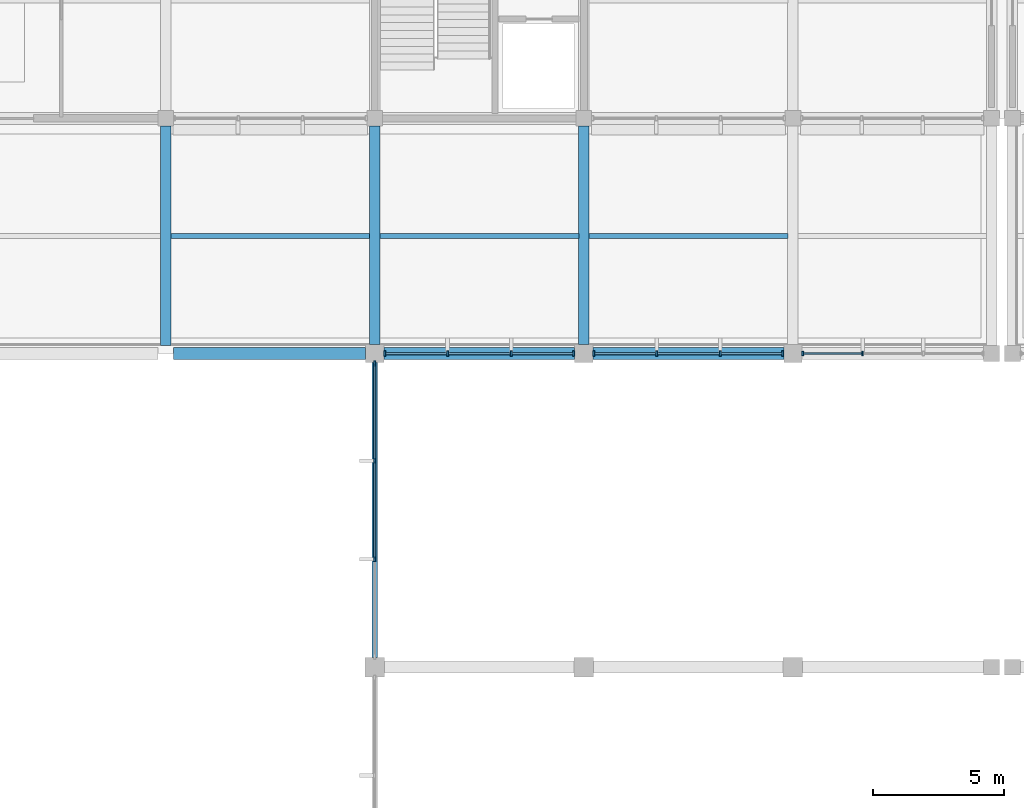
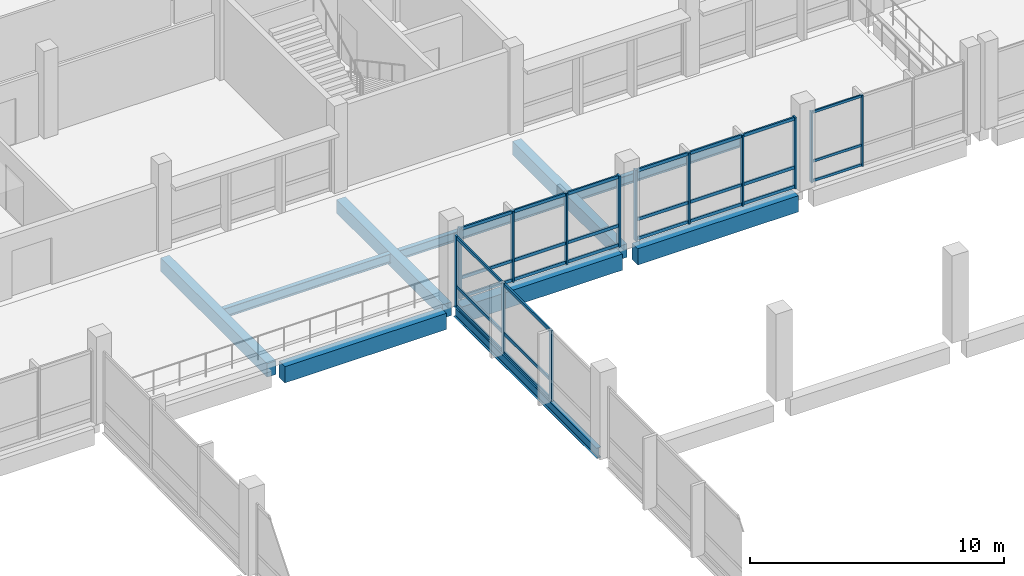
# One storey, part 25 of 70: 40 members, 10 beams, 4 elements without a shape of their own.
"""IFC4 building model written with IfcOpenShell, lengths in metres."""

from ifc_helpers import new_model, si_unit, direction, frame, origin, origin_2d, place, context, subcontext, project, spatial, rectangle, i_section, extrude, material, material_profile, profile_set, type_object, element, aggregate, save


model = new_model("IFC4")

# Units and contexts
model_context = context("Model", 3, precision=1e-05, world=origin(), true_north=direction((0.0, 1.0)))
body_context = subcontext(model_context, "Body", "Model", "MODEL_VIEW")
ifc_project = project(units=[si_unit("LENGTHUNIT", "METRE"), si_unit("AREAUNIT", "SQUARE_METRE"), si_unit("VOLUMEUNIT", "CUBIC_METRE"), si_unit("PLANEANGLEUNIT", "RADIAN"), si_unit("MASSUNIT", "GRAM", prefix="KILO"), si_unit("THERMODYNAMICTEMPERATUREUNIT", "KELVIN"), si_unit("POWERUNIT", "WATT")], contexts=[model_context])

# Site, building, storey
site_placement = place(None, origin())
site = spatial("IfcSite", under=ifc_project, at=site_placement, CompositionType="ELEMENT")
building_placement = place(site_placement, origin())
building = spatial("IfcBuilding", under=site, at=building_placement, Name="Kronsvod Quay Wholesale Market", CompositionType="ELEMENT")
storey_placement = place(building_placement, frame((0.0, 0.0, 9.0)))
storey = spatial("IfcBuildingStorey", under=building, at=storey_placement, Name="L02", CompositionType="ELEMENT", Elevation=9.0)

# Beams
ifc_material_1 = material(Name="Precast concrete C40/50", Category="concrete")
ifc_material_profile_1 = material_profile(ifc_material_1, rectangle(XDim=0.39990234375, YDim=0.64990234375, at=origin_2d()), Name="PCB400x650")
ifc_profile_set_1 = profile_set([ifc_material_profile_1], Name="Precast concrete C40/50")
beam_type_1 = type_object("IfcBeamType", Name="Beam_PCB400x650", PredefinedType="BEAM", material=ifc_profile_set_1)
beam_1_placement = place(storey_placement, frame((96.0, 90.300048828125, -0.635009765625), z_axis=(0.0, 1.0, 0.0), x_axis=(-1.0, 0.0, 0.0)))
element("IfcBeam", 1, at=beam_1_placement, inside=storey, type_object=beam_type_1, Name="BMY-L02-960-900", PredefinedType="BEAM", context=body_context, shape_type="SweptSolid", body=[
    extrude(rectangle(XDim=0.39990234375, YDim=0.64990234375, at=origin_2d()), origin(), (0.0, 0.0, 1.0), 8.39990234375),
])
for number, where, z_axis, x_axis, name in (
    (2, (104.0, 90.35009765625, -0.635009765625), (0.0, 1.0, 0.0), (-1.0, 0.0, 0.0), "BMY-L02-1040-900"),
    (3, (112.0, 90.35009765625, -0.635009765625), (0.0, 1.0, 0.0), (-1.0, 0.0, 0.0), "BMY-L02-1120-900"),
):
    element("IfcBeam", number, at=place(storey_placement, frame(where, z_axis=z_axis, x_axis=x_axis)), inside=storey, type_object=beam_type_1, Name=name, PredefinedType="BEAM", context=body_context, shape_type="SweptSolid", body=[
        extrude(rectangle(XDim=0.39990234375, YDim=0.64990234375, at=origin_2d()), origin(), (0.0, 0.0, 1.0), 8.349853515625),
    ])
ifc_material_2 = material(Name="Precast concrete C40/50", Category="concrete")
ifc_material_profile_2 = material_profile(ifc_material_2, rectangle(XDim=0.4599609375, YDim=0.780029296875, at=origin_2d()), Name="PB-03")
ifc_profile_set_2 = profile_set([ifc_material_profile_2], Name="Precast concrete C40/50")
beam_type_2 = type_object("IfcBeamType", Name="Beam_PCB460x780", PredefinedType="BEAM", material=ifc_profile_set_2)
beam_2_placement = place(storey_placement, frame((96.300048828125, 90.0, -0.699951171875), z_axis=(1.0, 0.0, 0.0), x_axis=(0.0, 1.0, 0.0)))
element("IfcBeam", 4, at=beam_2_placement, inside=storey, type_object=beam_type_2, Name="BMX-L02-960-900", PredefinedType="BEAM", context=body_context, shape_type="SweptSolid", body=[
    extrude(rectangle(XDim=0.4599609375, YDim=0.780029296875, at=origin_2d()), origin(), (0.0, 0.0, 1.0), 7.349853515625),
])
for number, where, z_axis, x_axis, name in (
    (5, (104.35009765625, 90.0, -0.64990234375), (1.0, 0.0, 0.0), (0.0, 1.0, 0.0), "BMX-L02-1040-900"),
    (6, (112.35009765625, 90.0, -0.64990234375), (1.0, 0.0, 0.0), (0.0, 1.0, 0.0), "BMX-L02-1120-900"),
):
    element("IfcBeam", number, at=place(storey_placement, frame(where, z_axis=z_axis, x_axis=x_axis)), inside=storey, type_object=beam_type_2, Name=name, PredefinedType="BEAM", context=body_context, shape_type="SweptSolid", body=[
        extrude(rectangle(XDim=0.4599609375, YDim=0.780029296875, at=origin_2d()), origin(), (0.0, 0.0, 1.0), 7.2998046875),
    ])
ifc_material_3 = material(Name="Steel S355", Category="steel")
ifc_material_profile_3 = material_profile(ifc_material_3, i_section(OverallWidth=0.198974609375, OverallDepth=0.446044921875, WebThickness=0.008056640625, FlangeThickness=0.011962890625, FilletRadius=0.01806640625, at=origin_2d()), Name="45B1")
ifc_profile_set_3 = profile_set([ifc_material_profile_3], Name="Steel S355")
beam_type_3 = type_object("IfcBeamType", Name="Beam_Steel45B1", PredefinedType="BEAM", material=ifc_profile_set_3)
for number, where, z_axis, x_axis, name in (
    (7, (96.195068359375, 94.5, -0.532958984375), (1.0, 0.0, 0.0), (0.0, 1.0, 0.0), "JSTX-L02-960-900"),
    (8, (104.195068359375, 94.5, -0.532958984375), (1.0, 0.0, 0.0), (0.0, 1.0, 0.0), "JSTX-L02-1040-900"),
    (9, (112.195068359375, 94.5, -0.532958984375), (1.0, 0.0, 0.0), (0.0, 1.0, 0.0), "JSTX-L02-1120-900"),
):
    element("IfcBeam", number, at=place(storey_placement, frame(where, z_axis=z_axis, x_axis=x_axis)), inside=storey, type_object=beam_type_3, Name=name, PredefinedType="BEAM", context=body_context, shape_type="SweptSolid", body=[
        extrude(i_section(OverallWidth=0.198974609375, OverallDepth=0.446044921875, WebThickness=0.008056640625, FlangeThickness=0.011962890625, FilletRadius=0.01806640625, at=origin_2d()), origin(), (0.0, 0.0, 1.0), 7.60986328125),
    ])
ifc_material_4 = material(Name="Steel S355", Category="steel")
ifc_material_profile_4 = material_profile(ifc_material_4, i_section(OverallWidth=0.198974609375, OverallDepth=0.49609375, WebThickness=0.009033203125, FlangeThickness=0.013916015625, FilletRadius=0.02001953125, at=origin_2d()), Name="50B1")
ifc_profile_set_4 = profile_set([ifc_material_profile_4], Name="Steel S355")
beam_type_4 = type_object("IfcBeamType", Name="Girder_Steel50B1", PredefinedType="T_BEAM", material=ifc_profile_set_4)
beam_3_placement = place(storey_placement, frame((104.0, 78.375, -0.22802734375), z_axis=(0.0, 1.0, 0.0), x_axis=(-1.0, 0.0, 0.0)))
element("IfcBeam", 10, at=beam_3_placement, inside=storey, type_object=beam_type_4, Name="BMY-L02-1040-780", PredefinedType="T_BEAM", context=body_context, shape_type="SweptSolid", body=[
    extrude(i_section(OverallWidth=0.198974609375, OverallDepth=0.49609375, WebThickness=0.009033203125, FlangeThickness=0.013916015625, FilletRadius=0.02001953125, at=origin_2d()), origin(), (0.0, 0.0, 1.0), 11.27490234375),
])

# Curtain wall, members
ifc_material_5 = material(Name="Thermally broken aluminium and triple low-E glazing", Category="aluminium")
curtain_wall_type_1 = type_object("IfcCurtainWallType", Name="CW_Clerestory80x32", PredefinedType="NOTDEFINED", material=ifc_material_5)
curtain_wall_1_placement = place(storey_placement, origin())
curtain_wall_1 = element("IfcCurtainWall", 11, at=curtain_wall_1_placement, inside=storey, type_object=curtain_wall_type_1, Name="CWGX-L02-1200-900", PredefinedType="NOTDEFINED")
ifc_material_6 = material(Name="Anodised aluminium", Category="aluminium")
ifc_material_profile_5 = material_profile(ifc_material_6, rectangle(XDim=0.06494140625, YDim=0.159912109375, at=origin_2d()), Name="ALUM65x160")
ifc_profile_set_5 = profile_set([ifc_material_profile_5], Name="Anodised aluminium")
member_type_1 = type_object("IfcMemberType", Name="Mullion_ALU65x160", PredefinedType="MULLION", material=ifc_profile_set_5)
member_1_placement = place(storey_placement, frame((122.6650390625, 90.0, 0.0), z_axis=(0.0, 0.0, 1.0), x_axis=(1.0, 0.0, 0.0)))
member_1 = element("IfcMember", 12, at=member_1_placement, type_object=member_type_1, Name="CWGX-L02-1200-900-M3", PredefinedType="MULLION", context=body_context, shape_type="SweptSolid", body=[
    extrude(rectangle(XDim=0.06494140625, YDim=0.159912109375, at=origin_2d()), origin(), (0.0, 0.0, 1.0), 3.419921875),
])
member_2_placement = place(storey_placement, frame((120.37744140625, 90.0, 0.0), z_axis=(0.0, 0.0, 1.0), x_axis=(1.0, 0.0, 0.0)))
member_2 = element("IfcMember", 13, at=member_2_placement, type_object=member_type_1, Name="CWGX-L02-1200-900-M4", PredefinedType="MULLION", context=body_context, shape_type="SweptSolid", body=[
    extrude(rectangle(XDim=0.06494140625, YDim=0.159912109375, at=origin_2d()), origin(), (0.0, 0.0, 1.0), 3.419921875),
])

curtain_wall_2_placement = place(storey_placement, origin())
curtain_wall_2 = element("IfcCurtainWall", 14, at=curtain_wall_2_placement, inside=storey, type_object=curtain_wall_type_1, Name="CWGX-L02-1040-900", PredefinedType="NOTDEFINED")
ifc_material_7 = material(Name="Anodised aluminium", Category="aluminium")
ifc_material_profile_6 = material_profile(ifc_material_7, rectangle(XDim=0.074951171875, YDim=0.199951171875, at=origin_2d()), Name="ALUM75x200")
ifc_profile_set_6 = profile_set([ifc_material_profile_6], Name="Anodised aluminium")
member_type_2 = type_object("IfcMemberType", Name="Mullion_ALU75x200", PredefinedType="MULLION", material=ifc_profile_set_6)
member_3_placement = place(storey_placement, frame((111.617431640625, 90.0, 0.0), z_axis=(0.0, 0.0, 1.0), x_axis=(1.0, 0.0, 0.0)))
member_3 = element("IfcMember", 15, at=member_3_placement, type_object=member_type_2, Name="CWGX-L02-1040-900-M1", PredefinedType="MULLION", context=body_context, shape_type="SweptSolid", body=[
    extrude(rectangle(XDim=0.074951171875, YDim=0.199951171875, at=origin_2d()), origin(), (0.0, 0.0, 1.0), 3.419921875),
])
member_4_placement = place(storey_placement, frame((109.21826171875, 90.0, 0.0), z_axis=(0.0, 0.0, 1.0), x_axis=(1.0, 0.0, 0.0)))
member_4 = element("IfcMember", 16, at=member_4_placement, type_object=member_type_2, Name="CWGX-L02-1040-900-M2", PredefinedType="MULLION", context=body_context, shape_type="SweptSolid", body=[
    extrude(rectangle(XDim=0.074951171875, YDim=0.199951171875, at=origin_2d()), origin(), (0.0, 0.0, 1.0), 3.419921875),
])
member_5_placement = place(storey_placement, frame((106.78173828125, 90.0, 0.0), z_axis=(0.0, 0.0, 1.0), x_axis=(1.0, 0.0, 0.0)))
member_5 = element("IfcMember", 17, at=member_5_placement, type_object=member_type_2, Name="CWGX-L02-1040-900-M3", PredefinedType="MULLION", context=body_context, shape_type="SweptSolid", body=[
    extrude(rectangle(XDim=0.074951171875, YDim=0.199951171875, at=origin_2d()), origin(), (0.0, 0.0, 1.0), 3.419921875),
])
member_6_placement = place(storey_placement, frame((104.382568359375, 90.0, 0.0), z_axis=(0.0, 0.0, 1.0), x_axis=(1.0, 0.0, 0.0)))
member_6 = element("IfcMember", 18, at=member_6_placement, type_object=member_type_2, Name="CWGX-L02-1040-900-M4", PredefinedType="MULLION", context=body_context, shape_type="SweptSolid", body=[
    extrude(rectangle(XDim=0.074951171875, YDim=0.199951171875, at=origin_2d()), origin(), (0.0, 0.0, 1.0), 3.419921875),
])

curtain_wall_3_placement = place(storey_placement, origin())
curtain_wall_3 = element("IfcCurtainWall", 19, at=curtain_wall_3_placement, inside=storey, type_object=curtain_wall_type_1, Name="CWGX-L02-1120-900", PredefinedType="NOTDEFINED")
member_7_placement = place(storey_placement, frame((119.617431640625, 90.0, 0.0), z_axis=(0.0, 0.0, 1.0), x_axis=(1.0, 0.0, 0.0)))
member_7 = element("IfcMember", 20, at=member_7_placement, type_object=member_type_2, Name="CWGX-L02-1120-900-M1", PredefinedType="MULLION", context=body_context, shape_type="SweptSolid", body=[
    extrude(rectangle(XDim=0.074951171875, YDim=0.199951171875, at=origin_2d()), origin(), (0.0, 0.0, 1.0), 3.419921875),
])
member_8_placement = place(storey_placement, frame((117.21826171875, 90.0, 0.0), z_axis=(0.0, 0.0, 1.0), x_axis=(1.0, 0.0, 0.0)))
member_8 = element("IfcMember", 21, at=member_8_placement, type_object=member_type_2, Name="CWGX-L02-1120-900-M2", PredefinedType="MULLION", context=body_context, shape_type="SweptSolid", body=[
    extrude(rectangle(XDim=0.074951171875, YDim=0.199951171875, at=origin_2d()), origin(), (0.0, 0.0, 1.0), 3.419921875),
])
member_9_placement = place(storey_placement, frame((114.78173828125, 90.0, 0.0), z_axis=(0.0, 0.0, 1.0), x_axis=(1.0, 0.0, 0.0)))
member_9 = element("IfcMember", 22, at=member_9_placement, type_object=member_type_2, Name="CWGX-L02-1120-900-M3", PredefinedType="MULLION", context=body_context, shape_type="SweptSolid", body=[
    extrude(rectangle(XDim=0.074951171875, YDim=0.199951171875, at=origin_2d()), origin(), (0.0, 0.0, 1.0), 3.419921875),
])
member_10_placement = place(storey_placement, frame((112.382568359375, 90.0, 0.0), z_axis=(0.0, 0.0, 1.0), x_axis=(1.0, 0.0, 0.0)))
member_10 = element("IfcMember", 23, at=member_10_placement, type_object=member_type_2, Name="CWGX-L02-1120-900-M4", PredefinedType="MULLION", context=body_context, shape_type="SweptSolid", body=[
    extrude(rectangle(XDim=0.074951171875, YDim=0.199951171875, at=origin_2d()), origin(), (0.0, 0.0, 1.0), 3.419921875),
])

ifc_material_8 = material(Name="Thermally broken aluminium and triple low-E glazing", Category="aluminium")
curtain_wall_type_2 = type_object("IfcCurtainWallType", Name="CW_Court120x35", PredefinedType="NOTDEFINED", material=ifc_material_8)
curtain_wall_4_placement = place(storey_placement, origin())
curtain_wall_4 = element("IfcCurtainWall", 24, at=curtain_wall_4_placement, inside=storey, type_object=curtain_wall_type_2, Name="CWGY-L02-1040-780", PredefinedType="NOTDEFINED")
member_11_placement = place(storey_placement, frame((104.0, 89.617431640625, 0.0), z_axis=(0.0, 0.0, 1.0), x_axis=(1.0, 0.0, 0.0)))
member_11 = element("IfcMember", 25, at=member_11_placement, type_object=member_type_2, Name="CWGY-L02-1040-780-M1", PredefinedType="MULLION", context=body_context, shape_type="SweptSolid", body=[
    extrude(rectangle(XDim=0.074951171875, YDim=0.199951171875, at=origin_2d()), origin(), (0.0, 0.0, 1.0), 3.419921875),
])
member_12_placement = place(storey_placement, frame((104.0, 85.893310546875, 0.0), z_axis=(0.0, 0.0, 1.0), x_axis=(1.0, 0.0, 0.0)))
member_12 = element("IfcMember", 26, at=member_12_placement, type_object=member_type_2, Name="CWGY-L02-1040-780-M2", PredefinedType="MULLION", context=body_context, shape_type="SweptSolid", body=[
    extrude(rectangle(XDim=0.074951171875, YDim=0.199951171875, at=origin_2d()), origin(), (0.0, 0.0, 1.0), 3.419921875),
])
member_13_placement = place(storey_placement, frame((104.0, 82.131591796875, 0.0), z_axis=(0.0, 0.0, 1.0), x_axis=(1.0, 0.0, 0.0)))
member_13 = element("IfcMember", 27, at=member_13_placement, type_object=member_type_2, Name="CWGY-L02-1040-780-M3", PredefinedType="MULLION", context=body_context, shape_type="SweptSolid", body=[
    extrude(rectangle(XDim=0.074951171875, YDim=0.199951171875, at=origin_2d()), origin(), (0.0, 0.0, 1.0), 3.419921875),
])

# Member
ifc_material_9 = material(Name="Anodised aluminium", Category="aluminium")
ifc_material_profile_7 = material_profile(ifc_material_9, rectangle(XDim=0.06494140625, YDim=0.1201171875, at=origin_2d()), Name="ALUT65x120")
ifc_profile_set_7 = profile_set([ifc_material_profile_7], Name="Anodised aluminium")
member_type_3 = type_object("IfcMemberType", Name="Transom_ALU65x120", PredefinedType="USERDEFINED", material=ifc_profile_set_7)
member_14_placement = place(storey_placement, frame((122.632568359375, 90.0, 0.06005859375), z_axis=(-1.0, 0.0, 0.0), x_axis=(0.0, -1.0, 0.0)))
member_14 = element("IfcMember", 28, at=member_14_placement, type_object=member_type_3, Name="CWGX-L02-1200-900-T1B3", ObjectType="TRANSOM", PredefinedType="USERDEFINED", context=body_context, shape_type="SweptSolid", body=[
    extrude(rectangle(XDim=0.06494140625, YDim=0.1201171875, at=origin_2d()), origin(), (0.0, 0.0, 1.0), 2.22265625),
])

member_15_placement = place(storey_placement, frame((122.632568359375, 90.0, 1.0), z_axis=(-1.0, 0.0, 0.0), x_axis=(0.0, -1.0, 0.0)))
member_15 = element("IfcMember", 29, at=member_15_placement, type_object=member_type_3, Name="CWGX-L02-1200-900-T2B3", ObjectType="TRANSOM", PredefinedType="USERDEFINED", context=body_context, shape_type="SweptSolid", body=[
    extrude(rectangle(XDim=0.06494140625, YDim=0.1201171875, at=origin_2d()), origin(), (0.0, 0.0, 1.0), 2.22265625),
])

member_16_placement = place(storey_placement, frame((122.632568359375, 90.0, 3.360107421875), z_axis=(-1.0, 0.0, 0.0), x_axis=(0.0, -1.0, 0.0)))
member_16 = element("IfcMember", 30, at=member_16_placement, type_object=member_type_3, Name="CWGX-L02-1200-900-T3B3", ObjectType="TRANSOM", PredefinedType="USERDEFINED", context=body_context, shape_type="SweptSolid", body=[
    extrude(rectangle(XDim=0.06494140625, YDim=0.1201171875, at=origin_2d()), origin(), (0.0, 0.0, 1.0), 2.22265625),
])

aggregate(curtain_wall_1, [member_1, member_2, member_14, member_15, member_16])

ifc_material_10 = material(Name="Anodised aluminium", Category="aluminium")
ifc_material_profile_8 = material_profile(ifc_material_10, rectangle(XDim=0.074951171875, YDim=0.14990234375, at=origin_2d()), Name="ALUT75x150")
ifc_profile_set_8 = profile_set([ifc_material_profile_8], Name="Anodised aluminium")
member_type_4 = type_object("IfcMemberType", Name="Transom_ALU75x150", PredefinedType="USERDEFINED", material=ifc_profile_set_8)
member_17_placement = place(storey_placement, frame((111.580078125, 90.0, 0.074951171875), z_axis=(-1.0, 0.0, 0.0), x_axis=(0.0, -1.0, 0.0)))
member_17 = element("IfcMember", 31, at=member_17_placement, type_object=member_type_4, Name="CWGX-L02-1040-900-T1B1", ObjectType="TRANSOM", PredefinedType="USERDEFINED", context=body_context, shape_type="SweptSolid", body=[
    extrude(rectangle(XDim=0.074951171875, YDim=0.14990234375, at=origin_2d()), origin(), (0.0, 0.0, 1.0), 2.32421875),
])

member_18_placement = place(storey_placement, frame((109.180908203125, 90.0, 0.074951171875), z_axis=(-1.0, 0.0, 0.0), x_axis=(0.0, -1.0, 0.0)))
member_18 = element("IfcMember", 32, at=member_18_placement, type_object=member_type_4, Name="CWGX-L02-1040-900-T1B2", ObjectType="TRANSOM", PredefinedType="USERDEFINED", context=body_context, shape_type="SweptSolid", body=[
    extrude(rectangle(XDim=0.074951171875, YDim=0.14990234375, at=origin_2d()), origin(), (0.0, 0.0, 1.0), 2.36181640625),
])

member_19_placement = place(storey_placement, frame((106.744140625, 90.0, 0.074951171875), z_axis=(-1.0, 0.0, 0.0), x_axis=(0.0, -1.0, 0.0)))
member_19 = element("IfcMember", 33, at=member_19_placement, type_object=member_type_4, Name="CWGX-L02-1040-900-T1B3", ObjectType="TRANSOM", PredefinedType="USERDEFINED", context=body_context, shape_type="SweptSolid", body=[
    extrude(rectangle(XDim=0.074951171875, YDim=0.14990234375, at=origin_2d()), origin(), (0.0, 0.0, 1.0), 2.32421875),
])

member_20_placement = place(storey_placement, frame((111.580078125, 90.0, 1.0), z_axis=(-1.0, 0.0, 0.0), x_axis=(0.0, -1.0, 0.0)))
member_20 = element("IfcMember", 34, at=member_20_placement, type_object=member_type_4, Name="CWGX-L02-1040-900-T2B1", ObjectType="TRANSOM", PredefinedType="USERDEFINED", context=body_context, shape_type="SweptSolid", body=[
    extrude(rectangle(XDim=0.074951171875, YDim=0.14990234375, at=origin_2d()), origin(), (0.0, 0.0, 1.0), 2.32421875),
])

member_21_placement = place(storey_placement, frame((109.180908203125, 90.0, 1.0), z_axis=(-1.0, 0.0, 0.0), x_axis=(0.0, -1.0, 0.0)))
member_21 = element("IfcMember", 35, at=member_21_placement, type_object=member_type_4, Name="CWGX-L02-1040-900-T2B2", ObjectType="TRANSOM", PredefinedType="USERDEFINED", context=body_context, shape_type="SweptSolid", body=[
    extrude(rectangle(XDim=0.074951171875, YDim=0.14990234375, at=origin_2d()), origin(), (0.0, 0.0, 1.0), 2.36181640625),
])

member_22_placement = place(storey_placement, frame((106.744140625, 90.0, 1.0), z_axis=(-1.0, 0.0, 0.0), x_axis=(0.0, -1.0, 0.0)))
member_22 = element("IfcMember", 36, at=member_22_placement, type_object=member_type_4, Name="CWGX-L02-1040-900-T2B3", ObjectType="TRANSOM", PredefinedType="USERDEFINED", context=body_context, shape_type="SweptSolid", body=[
    extrude(rectangle(XDim=0.074951171875, YDim=0.14990234375, at=origin_2d()), origin(), (0.0, 0.0, 1.0), 2.32421875),
])

member_23_placement = place(storey_placement, frame((111.580078125, 90.0, 3.344970703125), z_axis=(-1.0, 0.0, 0.0), x_axis=(0.0, -1.0, 0.0)))
member_23 = element("IfcMember", 37, at=member_23_placement, type_object=member_type_4, Name="CWGX-L02-1040-900-T3B1", ObjectType="TRANSOM", PredefinedType="USERDEFINED", context=body_context, shape_type="SweptSolid", body=[
    extrude(rectangle(XDim=0.074951171875, YDim=0.14990234375, at=origin_2d()), origin(), (0.0, 0.0, 1.0), 2.32421875),
])

member_24_placement = place(storey_placement, frame((109.180908203125, 90.0, 3.344970703125), z_axis=(-1.0, 0.0, 0.0), x_axis=(0.0, -1.0, 0.0)))
member_24 = element("IfcMember", 38, at=member_24_placement, type_object=member_type_4, Name="CWGX-L02-1040-900-T3B2", ObjectType="TRANSOM", PredefinedType="USERDEFINED", context=body_context, shape_type="SweptSolid", body=[
    extrude(rectangle(XDim=0.074951171875, YDim=0.14990234375, at=origin_2d()), origin(), (0.0, 0.0, 1.0), 2.36181640625),
])

member_25_placement = place(storey_placement, frame((106.744140625, 90.0, 3.344970703125), z_axis=(-1.0, 0.0, 0.0), x_axis=(0.0, -1.0, 0.0)))
member_25 = element("IfcMember", 39, at=member_25_placement, type_object=member_type_4, Name="CWGX-L02-1040-900-T3B3", ObjectType="TRANSOM", PredefinedType="USERDEFINED", context=body_context, shape_type="SweptSolid", body=[
    extrude(rectangle(XDim=0.074951171875, YDim=0.14990234375, at=origin_2d()), origin(), (0.0, 0.0, 1.0), 2.32421875),
])

aggregate(curtain_wall_2, [member_3, member_4, member_5, member_6, member_17, member_18, member_19, member_20, member_21, member_22, member_23, member_24, member_25])

member_26_placement = place(storey_placement, frame((119.580078125, 90.0, 0.074951171875), z_axis=(-1.0, 0.0, 0.0), x_axis=(0.0, -1.0, 0.0)))
member_26 = element("IfcMember", 40, at=member_26_placement, type_object=member_type_4, Name="CWGX-L02-1120-900-T1B1", ObjectType="TRANSOM", PredefinedType="USERDEFINED", context=body_context, shape_type="SweptSolid", body=[
    extrude(rectangle(XDim=0.074951171875, YDim=0.14990234375, at=origin_2d()), origin(), (0.0, 0.0, 1.0), 2.32421875),
])

member_27_placement = place(storey_placement, frame((117.180908203125, 90.0, 0.074951171875), z_axis=(-1.0, 0.0, 0.0), x_axis=(0.0, -1.0, 0.0)))
member_27 = element("IfcMember", 41, at=member_27_placement, type_object=member_type_4, Name="CWGX-L02-1120-900-T1B2", ObjectType="TRANSOM", PredefinedType="USERDEFINED", context=body_context, shape_type="SweptSolid", body=[
    extrude(rectangle(XDim=0.074951171875, YDim=0.14990234375, at=origin_2d()), origin(), (0.0, 0.0, 1.0), 2.36181640625),
])

member_28_placement = place(storey_placement, frame((114.744140625, 90.0, 0.074951171875), z_axis=(-1.0, 0.0, 0.0), x_axis=(0.0, -1.0, 0.0)))
member_28 = element("IfcMember", 42, at=member_28_placement, type_object=member_type_4, Name="CWGX-L02-1120-900-T1B3", ObjectType="TRANSOM", PredefinedType="USERDEFINED", context=body_context, shape_type="SweptSolid", body=[
    extrude(rectangle(XDim=0.074951171875, YDim=0.14990234375, at=origin_2d()), origin(), (0.0, 0.0, 1.0), 2.32421875),
])

member_29_placement = place(storey_placement, frame((119.580078125, 90.0, 1.0), z_axis=(-1.0, 0.0, 0.0), x_axis=(0.0, -1.0, 0.0)))
member_29 = element("IfcMember", 43, at=member_29_placement, type_object=member_type_4, Name="CWGX-L02-1120-900-T2B1", ObjectType="TRANSOM", PredefinedType="USERDEFINED", context=body_context, shape_type="SweptSolid", body=[
    extrude(rectangle(XDim=0.074951171875, YDim=0.14990234375, at=origin_2d()), origin(), (0.0, 0.0, 1.0), 2.32421875),
])

member_30_placement = place(storey_placement, frame((117.180908203125, 90.0, 1.0), z_axis=(-1.0, 0.0, 0.0), x_axis=(0.0, -1.0, 0.0)))
member_30 = element("IfcMember", 44, at=member_30_placement, type_object=member_type_4, Name="CWGX-L02-1120-900-T2B2", ObjectType="TRANSOM", PredefinedType="USERDEFINED", context=body_context, shape_type="SweptSolid", body=[
    extrude(rectangle(XDim=0.074951171875, YDim=0.14990234375, at=origin_2d()), origin(), (0.0, 0.0, 1.0), 2.36181640625),
])

member_31_placement = place(storey_placement, frame((114.744140625, 90.0, 1.0), z_axis=(-1.0, 0.0, 0.0), x_axis=(0.0, -1.0, 0.0)))
member_31 = element("IfcMember", 45, at=member_31_placement, type_object=member_type_4, Name="CWGX-L02-1120-900-T2B3", ObjectType="TRANSOM", PredefinedType="USERDEFINED", context=body_context, shape_type="SweptSolid", body=[
    extrude(rectangle(XDim=0.074951171875, YDim=0.14990234375, at=origin_2d()), origin(), (0.0, 0.0, 1.0), 2.32421875),
])

member_32_placement = place(storey_placement, frame((119.580078125, 90.0, 3.344970703125), z_axis=(-1.0, 0.0, 0.0), x_axis=(0.0, -1.0, 0.0)))
member_32 = element("IfcMember", 46, at=member_32_placement, type_object=member_type_4, Name="CWGX-L02-1120-900-T3B1", ObjectType="TRANSOM", PredefinedType="USERDEFINED", context=body_context, shape_type="SweptSolid", body=[
    extrude(rectangle(XDim=0.074951171875, YDim=0.14990234375, at=origin_2d()), origin(), (0.0, 0.0, 1.0), 2.32421875),
])

member_33_placement = place(storey_placement, frame((117.180908203125, 90.0, 3.344970703125), z_axis=(-1.0, 0.0, 0.0), x_axis=(0.0, -1.0, 0.0)))
member_33 = element("IfcMember", 47, at=member_33_placement, type_object=member_type_4, Name="CWGX-L02-1120-900-T3B2", ObjectType="TRANSOM", PredefinedType="USERDEFINED", context=body_context, shape_type="SweptSolid", body=[
    extrude(rectangle(XDim=0.074951171875, YDim=0.14990234375, at=origin_2d()), origin(), (0.0, 0.0, 1.0), 2.36181640625),
])

member_34_placement = place(storey_placement, frame((114.744140625, 90.0, 3.344970703125), z_axis=(-1.0, 0.0, 0.0), x_axis=(0.0, -1.0, 0.0)))
member_34 = element("IfcMember", 48, at=member_34_placement, type_object=member_type_4, Name="CWGX-L02-1120-900-T3B3", ObjectType="TRANSOM", PredefinedType="USERDEFINED", context=body_context, shape_type="SweptSolid", body=[
    extrude(rectangle(XDim=0.074951171875, YDim=0.14990234375, at=origin_2d()), origin(), (0.0, 0.0, 1.0), 2.32421875),
])

aggregate(curtain_wall_3, [member_7, member_8, member_9, member_10, member_26, member_27, member_28, member_29, member_30, member_31, member_32, member_33, member_34])

member_35_placement = place(storey_placement, frame((104.0, 89.580078125, 0.074951171875), z_axis=(0.0, -1.0, 0.0), x_axis=(1.0, 0.0, 0.0)))
member_35 = element("IfcMember", 49, at=member_35_placement, type_object=member_type_4, Name="CWGY-L02-1040-780-T1B1", ObjectType="TRANSOM", PredefinedType="USERDEFINED", context=body_context, shape_type="SweptSolid", body=[
    extrude(rectangle(XDim=0.074951171875, YDim=0.14990234375, at=origin_2d()), origin(), (0.0, 0.0, 1.0), 3.649169921875),
])

member_36_placement = place(storey_placement, frame((104.0, 85.855712890625, 0.074951171875), z_axis=(0.0, -1.0, 0.0), x_axis=(1.0, 0.0, 0.0)))
member_36 = element("IfcMember", 50, at=member_36_placement, type_object=member_type_4, Name="CWGY-L02-1040-780-T1B2", ObjectType="TRANSOM", PredefinedType="USERDEFINED", context=body_context, shape_type="SweptSolid", body=[
    extrude(rectangle(XDim=0.074951171875, YDim=0.14990234375, at=origin_2d()), origin(), (0.0, 0.0, 1.0), 3.6865234375),
])

member_37_placement = place(storey_placement, frame((104.0, 89.580078125, 1.0), z_axis=(0.0, -1.0, 0.0), x_axis=(1.0, 0.0, 0.0)))
member_37 = element("IfcMember", 51, at=member_37_placement, type_object=member_type_4, Name="CWGY-L02-1040-780-T2B1", ObjectType="TRANSOM", PredefinedType="USERDEFINED", context=body_context, shape_type="SweptSolid", body=[
    extrude(rectangle(XDim=0.074951171875, YDim=0.14990234375, at=origin_2d()), origin(), (0.0, 0.0, 1.0), 3.649169921875),
])

member_38_placement = place(storey_placement, frame((104.0, 85.855712890625, 1.0), z_axis=(0.0, -1.0, 0.0), x_axis=(1.0, 0.0, 0.0)))
member_38 = element("IfcMember", 52, at=member_38_placement, type_object=member_type_4, Name="CWGY-L02-1040-780-T2B2", ObjectType="TRANSOM", PredefinedType="USERDEFINED", context=body_context, shape_type="SweptSolid", body=[
    extrude(rectangle(XDim=0.074951171875, YDim=0.14990234375, at=origin_2d()), origin(), (0.0, 0.0, 1.0), 3.6865234375),
])

member_39_placement = place(storey_placement, frame((104.0, 89.580078125, 3.344970703125), z_axis=(0.0, -1.0, 0.0), x_axis=(1.0, 0.0, 0.0)))
member_39 = element("IfcMember", 53, at=member_39_placement, type_object=member_type_4, Name="CWGY-L02-1040-780-T3B1", ObjectType="TRANSOM", PredefinedType="USERDEFINED", context=body_context, shape_type="SweptSolid", body=[
    extrude(rectangle(XDim=0.074951171875, YDim=0.14990234375, at=origin_2d()), origin(), (0.0, 0.0, 1.0), 3.649169921875),
])

member_40_placement = place(storey_placement, frame((104.0, 85.855712890625, 3.344970703125), z_axis=(0.0, -1.0, 0.0), x_axis=(1.0, 0.0, 0.0)))
member_40 = element("IfcMember", 54, at=member_40_placement, type_object=member_type_4, Name="CWGY-L02-1040-780-T3B2", ObjectType="TRANSOM", PredefinedType="USERDEFINED", context=body_context, shape_type="SweptSolid", body=[
    extrude(rectangle(XDim=0.074951171875, YDim=0.14990234375, at=origin_2d()), origin(), (0.0, 0.0, 1.0), 3.6865234375),
])

aggregate(curtain_wall_4, [member_11, member_12, member_13, member_35, member_36, member_37, member_38, member_39, member_40])

save(model, "model.ifc")
